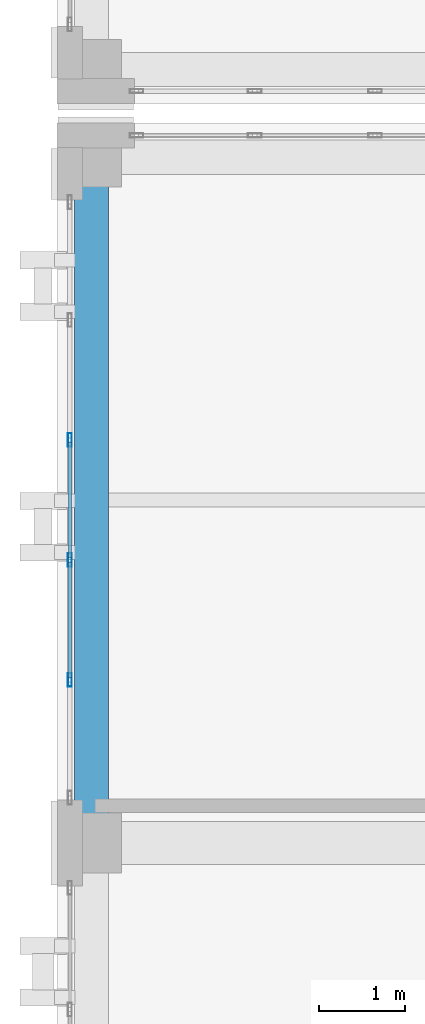
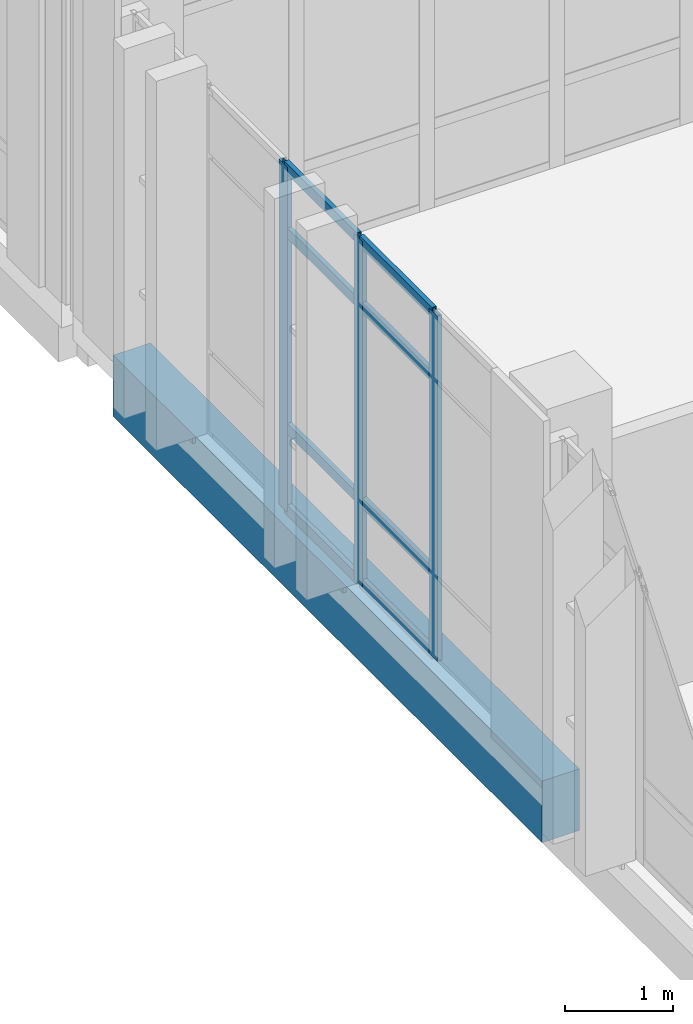
# One storey, part 76 of 165: 11 members, 1 beam, 1 element without a shape of its own.
"""IFC4 building model written with IfcOpenShell, lengths in metres."""

from ifc_helpers import new_model, si_unit, direction, frame, origin, origin_2d, place, context, subcontext, project, spatial, rectangle, hollow_rectangle, extrude, material, layer, layer_set, material_profile, profile_set, type_object, element, aggregate, save


model = new_model("IFC4")

# Units and contexts
model_context = context("Model", 3, precision=1e-05, world=origin(), true_north=direction((0.0, 1.0)))
body_context = subcontext(model_context, "Body", "Model", "MODEL_VIEW")
ifc_project = project(units=[si_unit("LENGTHUNIT", "METRE"), si_unit("AREAUNIT", "SQUARE_METRE"), si_unit("VOLUMEUNIT", "CUBIC_METRE"), si_unit("PLANEANGLEUNIT", "RADIAN"), si_unit("MASSUNIT", "GRAM", prefix="KILO")], contexts=[model_context])

# Site, building, storey
site_placement = place(None, origin())
site = spatial("IfcSite", under=ifc_project, at=site_placement, CompositionType="ELEMENT")
building_placement = place(site_placement, origin())
building = spatial("IfcBuilding", under=site, at=building_placement, Name="Qalavern Law Courts", CompositionType="ELEMENT")
storey_placement = place(building_placement, frame((0.0, 0.0, 14.39990234375)))
storey = spatial("IfcBuildingStorey", under=building, at=storey_placement, Name="L03", CompositionType="ELEMENT", Elevation=14.39990234375)

# Curtain wall, members
ifc_material_1 = material(Name="Anodised aluminium and insulated glazing", Category="aluminium")
ifc_layer = layer(ifc_material_1, 0.172119140625)
ifc_layer_set = layer_set([ifc_layer], Name="Anodised aluminium and insulated glazing")
curtain_wall_type = type_object("IfcCurtainWallType", Name="ENV-CW-COURT", PredefinedType="USERDEFINED", material=ifc_layer_set)
curtain_wall_placement = place(storey_placement, origin())
curtain_wall = element("IfcCurtainWall", 1, at=curtain_wall_placement, inside=storey, type_object=curtain_wall_type, Name="V3 unitised curtain wall L03 west 1", ObjectType="UNITISED CURTAIN WALL", PredefinedType="USERDEFINED")
ifc_material_2 = material(Name="Anodised aluminium", Category="aluminium")
ifc_material_profile_1 = material_profile(ifc_material_2, hollow_rectangle(XDim=0.048095703125, YDim=0.159912109375, WallThickness=0.00390625, at=origin_2d()), Name="ALU MULLION 48x160")
ifc_profile_set_1 = profile_set([ifc_material_profile_1], Name="Anodised aluminium")
member_type_1 = type_object("IfcMemberType", Name="ENV-CWM-48x160", PredefinedType="MULLION", material=ifc_profile_set_1)
member_1_placement = place(storey_placement, frame((2.1474609375, 92.2880859375, 0.0), z_axis=(0.0, 0.0, 1.0), x_axis=(1.0, 0.0, 0.0)))
member_1 = element("IfcMember", 2, at=member_1_placement, type_object=member_type_1, Name="CW-03 mullion 3", PredefinedType="MULLION", context=body_context, shape_type="SweptSolid", body=[
    extrude(hollow_rectangle(XDim=0.048095703125, YDim=0.159912109375, WallThickness=0.00390625, at=origin_2d()), origin(), (0.0, 0.0, 1.0), 3.920166015625),
])
member_2_placement = place(storey_placement, frame((2.1474609375, 90.89208984375, 0.0), z_axis=(0.0, 0.0, 1.0), x_axis=(1.0, 0.0, 0.0)))
member_2 = element("IfcMember", 3, at=member_2_placement, type_object=member_type_1, Name="CW-03 mullion 4", PredefinedType="MULLION", context=body_context, shape_type="SweptSolid", body=[
    extrude(hollow_rectangle(XDim=0.048095703125, YDim=0.159912109375, WallThickness=0.00390625, at=origin_2d()), origin(), (0.0, 0.0, 1.0), 3.920166015625),
])
member_3_placement = place(storey_placement, frame((2.1474609375, 89.49609375, 0.0), z_axis=(0.0, 0.0, 1.0), x_axis=(1.0, 0.0, 0.0)))
member_3 = element("IfcMember", 4, at=member_3_placement, type_object=member_type_1, Name="CW-03 mullion 5", PredefinedType="MULLION", context=body_context, shape_type="SweptSolid", body=[
    extrude(hollow_rectangle(XDim=0.048095703125, YDim=0.159912109375, WallThickness=0.00390625, at=origin_2d()), origin(), (0.0, 0.0, 1.0), 3.920166015625),
])
ifc_material_profile_2 = material_profile(ifc_material_2, hollow_rectangle(XDim=0.048095703125, YDim=0.1201171875, WallThickness=0.00390625, at=origin_2d()), Name="ALU TRANSOM 48x120")
ifc_profile_set_2 = profile_set([ifc_material_profile_2], Name="Anodised aluminium")
member_type_2 = type_object("IfcMemberType", Name="ENV-CWT-48x120", PredefinedType="USERDEFINED", material=ifc_profile_set_2)
member_4_placement = place(storey_placement, frame((2.1474609375, 92.263916015625, 0.024169921875), z_axis=(0.0, -1.0, 0.0), x_axis=(1.0, 0.0, 0.0)))
member_4 = element("IfcMember", 5, at=member_4_placement, type_object=member_type_2, Name="CW-03 transom 3.1", ObjectType="TRANSOM", PredefinedType="USERDEFINED", context=body_context, shape_type="SweptSolid", body=[
    extrude(hollow_rectangle(XDim=0.048095703125, YDim=0.1201171875, WallThickness=0.00390625, at=origin_2d()), origin(), (0.0, 0.0, 1.0), 1.347900390625),
])
member_5_placement = place(storey_placement, frame((2.1474609375, 92.263916015625, 0.9501953125), z_axis=(0.0, -1.0, 0.0), x_axis=(1.0, 0.0, 0.0)))
member_5 = element("IfcMember", 6, at=member_5_placement, type_object=member_type_2, Name="CW-03 transom 3.2", ObjectType="TRANSOM", PredefinedType="USERDEFINED", context=body_context, shape_type="SweptSolid", body=[
    extrude(hollow_rectangle(XDim=0.048095703125, YDim=0.1201171875, WallThickness=0.00390625, at=origin_2d()), origin(), (0.0, 0.0, 1.0), 1.347900390625),
])
member_6_placement = place(storey_placement, frame((2.1474609375, 92.263916015625, 3.170166015625), z_axis=(0.0, -1.0, 0.0), x_axis=(1.0, 0.0, 0.0)))
member_6 = element("IfcMember", 7, at=member_6_placement, type_object=member_type_2, Name="CW-03 transom 3.3", ObjectType="TRANSOM", PredefinedType="USERDEFINED", context=body_context, shape_type="SweptSolid", body=[
    extrude(hollow_rectangle(XDim=0.048095703125, YDim=0.1201171875, WallThickness=0.00390625, at=origin_2d()), origin(), (0.0, 0.0, 1.0), 1.347900390625),
])
member_7_placement = place(storey_placement, frame((2.1474609375, 92.263916015625, 3.89599609375), z_axis=(0.0, -1.0, 0.0), x_axis=(1.0, 0.0, 0.0)))
member_7 = element("IfcMember", 8, at=member_7_placement, type_object=member_type_2, Name="CW-03 transom 3.4", ObjectType="TRANSOM", PredefinedType="USERDEFINED", context=body_context, shape_type="SweptSolid", body=[
    extrude(hollow_rectangle(XDim=0.048095703125, YDim=0.1201171875, WallThickness=0.00390625, at=origin_2d()), origin(), (0.0, 0.0, 1.0), 1.347900390625),
])
member_8_placement = place(storey_placement, frame((2.1474609375, 90.867919921875, 0.024169921875), z_axis=(0.0, -1.0, 0.0), x_axis=(1.0, 0.0, 0.0)))
member_8 = element("IfcMember", 9, at=member_8_placement, type_object=member_type_2, Name="CW-03 transom 4.1", ObjectType="TRANSOM", PredefinedType="USERDEFINED", context=body_context, shape_type="SweptSolid", body=[
    extrude(hollow_rectangle(XDim=0.048095703125, YDim=0.1201171875, WallThickness=0.00390625, at=origin_2d()), origin(), (0.0, 0.0, 1.0), 1.347900390625),
])
member_9_placement = place(storey_placement, frame((2.1474609375, 90.867919921875, 0.9501953125), z_axis=(0.0, -1.0, 0.0), x_axis=(1.0, 0.0, 0.0)))
member_9 = element("IfcMember", 10, at=member_9_placement, type_object=member_type_2, Name="CW-03 transom 4.2", ObjectType="TRANSOM", PredefinedType="USERDEFINED", context=body_context, shape_type="SweptSolid", body=[
    extrude(hollow_rectangle(XDim=0.048095703125, YDim=0.1201171875, WallThickness=0.00390625, at=origin_2d()), origin(), (0.0, 0.0, 1.0), 1.347900390625),
])
member_10_placement = place(storey_placement, frame((2.1474609375, 90.867919921875, 3.170166015625), z_axis=(0.0, -1.0, 0.0), x_axis=(1.0, 0.0, 0.0)))
member_10 = element("IfcMember", 11, at=member_10_placement, type_object=member_type_2, Name="CW-03 transom 4.3", ObjectType="TRANSOM", PredefinedType="USERDEFINED", context=body_context, shape_type="SweptSolid", body=[
    extrude(hollow_rectangle(XDim=0.048095703125, YDim=0.1201171875, WallThickness=0.00390625, at=origin_2d()), origin(), (0.0, 0.0, 1.0), 1.347900390625),
])
member_11_placement = place(storey_placement, frame((2.1474609375, 90.867919921875, 3.89599609375), z_axis=(0.0, -1.0, 0.0), x_axis=(1.0, 0.0, 0.0)))
member_11 = element("IfcMember", 12, at=member_11_placement, type_object=member_type_2, Name="CW-03 transom 4.4", ObjectType="TRANSOM", PredefinedType="USERDEFINED", context=body_context, shape_type="SweptSolid", body=[
    extrude(hollow_rectangle(XDim=0.048095703125, YDim=0.1201171875, WallThickness=0.00390625, at=origin_2d()), origin(), (0.0, 0.0, 1.0), 1.347900390625),
])
aggregate(curtain_wall, [member_1, member_2, member_3, member_4, member_5, member_6, member_7, member_8, member_9, member_10, member_11])

# Beam
ifc_material_3 = material(Name="Concrete C40/50", Category="concrete")
ifc_material_profile_3 = material_profile(ifc_material_3, rectangle(XDim=0.39990234375, YDim=0.699951171875, at=origin_2d()), Name="RC 400x700")
ifc_profile_set_3 = profile_set([ifc_material_profile_3], Name="Concrete C40/50")
beam_type = type_object("IfcBeamType", Name="STR-SP-RC400x700", PredefinedType="SPANDREL", material=ifc_profile_set_3)
beam_placement = place(storey_placement, frame((2.39990234375, 87.60009765625, -0.635009765625), z_axis=(0.0, 1.0, 0.0), x_axis=(-1.0, 0.0, 0.0)))
element("IfcBeam", 13, at=beam_placement, inside=storey, type_object=beam_type, Name="V3 Y-beam 1-7 L03", PredefinedType="SPANDREL", context=body_context, shape_type="SweptSolid", body=[
    extrude(rectangle(XDim=0.39990234375, YDim=0.699951171875, at=origin_2d()), origin(), (0.0, 0.0, 1.0), 7.97998046875),
])

save(model, "model.ifc")
